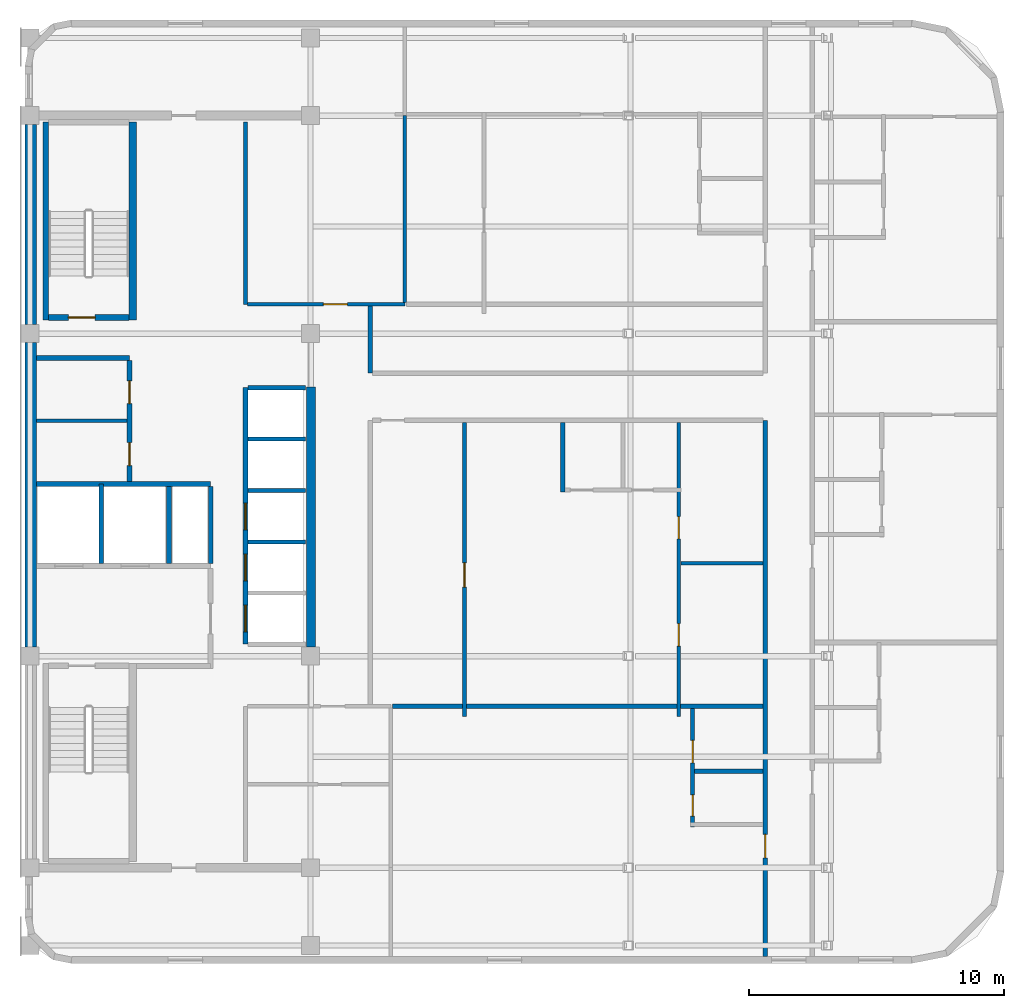
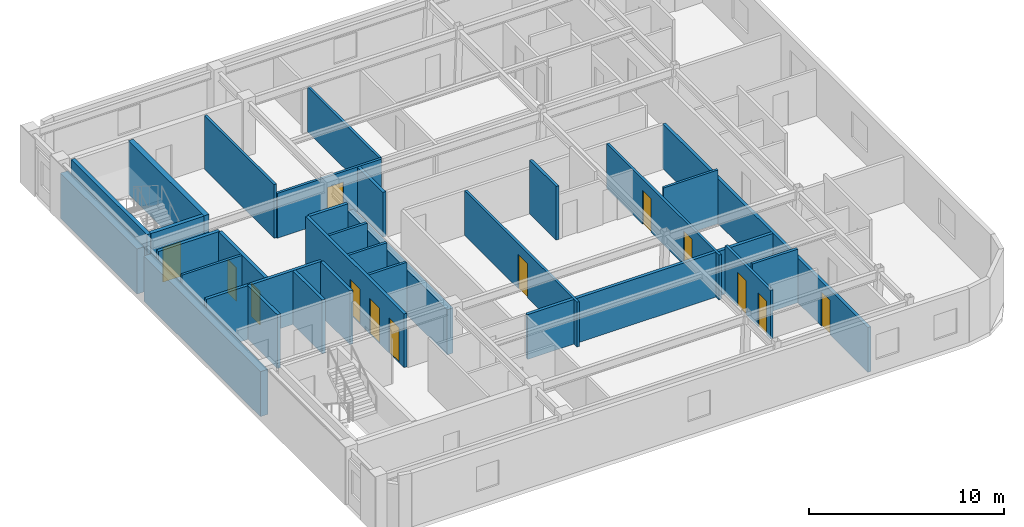
# One storey, part 3 of 6: 30 walls, 13 doors, 13 openings.
"""IFC4 building model written with IfcOpenShell, lengths in metres."""

from ifc_helpers import new_model, si_unit, direction, frame, frame_2d, origin, place, context, subcontext, project, spatial, rectangle, extrude, material, layer, layer_set, type_object, element, fill, save


model = new_model("IFC4")

# Units and contexts
model_context = context("Model", 3, precision=1e-05, world=origin(), true_north=direction((0.0, 1.0)))
body_context = subcontext(model_context, "Body", "Model", "MODEL_VIEW")
ifc_project = project(units=[si_unit("LENGTHUNIT", "METRE"), si_unit("AREAUNIT", "SQUARE_METRE"), si_unit("VOLUMEUNIT", "CUBIC_METRE"), si_unit("PLANEANGLEUNIT", "RADIAN"), si_unit("MASSUNIT", "GRAM", prefix="KILO")], contexts=[model_context])

# Site, building, storey
site_placement = place(None, origin())
site = spatial("IfcSite", under=ifc_project, at=site_placement, CompositionType="ELEMENT")
building_placement = place(site_placement, origin())
building = spatial("IfcBuilding", under=site, at=building_placement, Name="Ochreholt Gables", CompositionType="ELEMENT")
storey_placement = place(building_placement, frame((0.0, 0.0, 220.199951171875)))
storey = spatial("IfcBuildingStorey", under=building, at=storey_placement, Name="L57", CompositionType="ELEMENT", Elevation=220.199951171875)

# Walls
ifc_material_1 = material(Name="Concrete 50 MPa", Category="concrete")
ifc_layer_1 = layer(ifc_material_1, 0.35009765625, Name="Concrete 50 MPa")
ifc_layer_set_1 = layer_set([ifc_layer_1], Name="Concrete 50 MPa")
wall_type_1 = type_object("IfcWallType", Name="WALL-CSW-350", PredefinedType="SHEAR", material=ifc_layer_set_1)
wall_1_placement = place(storey_placement, frame((35.22509765625, 17.89990234375, 0.0), z_axis=(0.0, 0.0, 1.0), x_axis=(0.0, 1.0, 0.0)))
element("IfcWall", 1, at=wall_1_placement, inside=storey, type_object=wall_type_1, Name="L57 Core Central-East Shear Wall", PredefinedType="SHEAR", context=body_context, shape_type="SweptSolid", body=[
    extrude(rectangle(XDim=10.2001953125, YDim=0.35009765625, at=frame_2d((5.10009765625, 0.0))), origin(), (0.0, 0.0, 1.0), 2.821044921875),
])
ifc_layer_2 = layer(ifc_material_1, 0.449951171875, Name="Concrete 50 MPa")
ifc_layer_set_2 = layer_set([ifc_layer_2], Name="Concrete 50 MPa")
wall_type_2 = type_object("IfcWallType", Name="WALL-CSW-EXT", PredefinedType="SHEAR", material=ifc_layer_set_2)
wall_2_placement = place(storey_placement, frame((24.22509765625, 17.89990234375, 0.0), z_axis=(0.0, 0.0, 1.0), x_axis=(0.0, 1.0, 0.0)))
element("IfcWall", 2, at=wall_2_placement, inside=storey, type_object=wall_type_2, Name="L57 Core West Shear Wall WM", PredefinedType="SHEAR", context=body_context, shape_type="SweptSolid", body=[
    extrude(rectangle(XDim=11.9501953125, YDim=0.449951171875, at=frame_2d((5.97509765625, 0.0))), origin(), (0.0, 0.0, 1.0), 2.821044921875),
])
wall_3_placement = place(storey_placement, frame((24.22509765625, 30.550048828125, 0.0), z_axis=(0.0, 0.0, 1.0), x_axis=(0.0, 1.0, 0.0)))
element("IfcWall", 3, at=wall_3_placement, inside=storey, type_object=wall_type_2, Name="L57 Core West Shear Wall WN", PredefinedType="SHEAR", context=body_context, shape_type="SweptSolid", body=[
    extrude(rectangle(XDim=7.849853515625, YDim=0.449951171875, at=frame_2d((3.9248046875, 0.0))), origin(), (0.0, 0.0, 1.0), 2.821044921875),
])
ifc_material_2 = material(Name="Concrete 40 MPa", Category="concrete")
ifc_layer_3 = layer(ifc_material_2, 0.199951171875, Name="Concrete 40 MPa")
ifc_layer_set_3 = layer_set([ifc_layer_3], Name="Concrete 40 MPa")
wall_type_3 = type_object("IfcWallType", Name="WALL-INT-CF200", PredefinedType="STANDARD", material=ifc_layer_set_3)
wall_4_placement = place(storey_placement, frame((24.449951171875, 29.239990234375, 0.0), z_axis=(0.0, 0.0, 1.0), x_axis=(1.0, 0.0, 0.0)))
element("IfcWall", 4, at=wall_4_placement, inside=storey, type_object=wall_type_3, Name="L57 Interior Wall WI-SRVN-L57", PredefinedType="STANDARD", context=body_context, shape_type="SweptSolid", body=[
    extrude(rectangle(XDim=3.650146484375, YDim=0.199951171875, at=frame_2d((1.8251953125, 0.0))), origin(), (0.0, 0.0, 1.0), 3.360107421875),
])

# Wall, openings, doors
wall_5_placement = place(storey_placement, frame((28.10009765625, 24.389892578125, 0.0), z_axis=(0.0, 0.0, 1.0), x_axis=(0.0, 1.0, 0.0)))
wall_5 = element("IfcWall", 5, at=wall_5_placement, inside=storey, type_object=wall_type_3, Name="L57 Interior Wall WI-SRVE-L57", PredefinedType="STANDARD", context=body_context, shape_type="SweptSolid", body=[
    extrude(rectangle(XDim=4.75, YDim=0.199951171875, at=frame_2d((2.375, 0.0))), origin(), (0.0, 0.0, 1.0), 3.360107421875),
])
opening_1_placement = place(wall_5_placement, frame((0.6298828125, 0.0, 0.0)))
opening_1 = element("IfcOpeningElement", 6, at=opening_1_placement, cuts=wall_5, Name="Opening D-SV1", PredefinedType="OPENING", context=body_context, shape_type="SweptSolid", body=[
    extrude(rectangle(XDim=0.89990234375, YDim=2.10009765625, at=frame_2d((0.449951171875, 1.050048828125))), frame((0.0, 0.10986328125, 0.0), z_axis=(0.0, -1.0, 0.0), x_axis=(1.0, 0.0, 0.0)), (0.0, 0.0, 1.0), 0.219970703125),
])
opening_2_placement = place(wall_5_placement, frame((3.06005859375, 0.0, 0.0)))
opening_2 = element("IfcOpeningElement", 7, at=opening_2_placement, cuts=wall_5, Name="Opening D-SV1", PredefinedType="OPENING", context=body_context, shape_type="SweptSolid", body=[
    extrude(rectangle(XDim=0.89990234375, YDim=2.10009765625, at=frame_2d((0.449951171875, 1.050048828125))), frame((0.0, 0.10986328125, 0.0), z_axis=(0.0, -1.0, 0.0), x_axis=(1.0, 0.0, 0.0)), (0.0, 0.0, 1.0), 0.219970703125),
])
ifc_material_3 = material(Name="Hollow Metal Steel", Category="steel")
door_type_1 = type_object("IfcDoorType", Name="DR-INT-SRV900", OperationType="NOTDEFINED", PredefinedType="DOOR", material=ifc_material_3)
door_1_placement = place(opening_1_placement, origin())
door_1 = element("IfcDoor", 8, at=door_1_placement, inside=storey, type_object=door_type_1, Name="L57 Door D-SRV1-L57", OperationType="SINGLE_SWING_LEFT", OverallHeight=2.10009765625, OverallWidth=0.89990234375, PredefinedType="DOOR", context=body_context, shape_type="SweptSolid", body=[
    extrude(rectangle(XDim=0.89990234375, YDim=2.10009765625, at=frame_2d((0.449951171875, 1.050048828125))), frame((0.0, 0.02490234375, 0.0), z_axis=(0.0, -1.0, 0.0), x_axis=(1.0, 0.0, 0.0)), (0.0, 0.0, 1.0), 0.050048828125),
])
fill(opening_1, door_1)
door_2_placement = place(opening_2_placement, origin())
door_2 = element("IfcDoor", 9, at=door_2_placement, inside=storey, type_object=door_type_1, Name="L57 Door D-SRV2-L57", OperationType="SINGLE_SWING_RIGHT", OverallHeight=2.10009765625, OverallWidth=0.89990234375, PredefinedType="DOOR", context=body_context, shape_type="SweptSolid", body=[
    extrude(rectangle(XDim=0.89990234375, YDim=2.10009765625, at=frame_2d((0.449951171875, 1.050048828125))), frame((0.0, 0.02490234375, 0.0), z_axis=(0.0, -1.0, 0.0), x_axis=(1.0, 0.0, 0.0)), (0.0, 0.0, 1.0), 0.050048828125),
])
fill(opening_2, door_2)

# Wall
ifc_material_4 = material(Name="Fire-Rated Gypsum Acoustic Partition", Category="gypsum")
ifc_layer_4 = layer(ifc_material_4, 0.179931640625, Name="Fire-Rated Gypsum Acoustic Partition")
ifc_layer_set_4 = layer_set([ifc_layer_4], Name="Fire-Rated Gypsum Acoustic Partition")
wall_type_4 = type_object("IfcWallType", Name="WALL-INT-CR180", PredefinedType="STANDARD", material=ifc_layer_set_4)
wall_6_placement = place(storey_placement, frame((37.550048828125, 28.64990234375, 0.0), z_axis=(0.0, 0.0, 1.0), x_axis=(0.0, 1.0, 0.0)))
element("IfcWall", 10, at=wall_6_placement, inside=storey, type_object=wall_type_4, Name="L57 Interior Wall WI-C3CE2-L57", PredefinedType="STANDARD", context=body_context, shape_type="SweptSolid", body=[
    extrude(rectangle(XDim=2.627685546875, YDim=0.179931640625, at=frame_2d((1.31396484375, 0.0))), origin(), (0.0, 0.0, 1.0), 2.802978515625),
])

# Wall, opening, door
wall_7_placement = place(storey_placement, frame((53.03271484375, 5.77001953125, 0.0), z_axis=(0.0, 0.0, 1.0), x_axis=(0.0, 1.0, 0.0)))
wall_7 = element("IfcWall", 11, at=wall_7_placement, inside=storey, type_object=wall_type_4, Name="L57 Interior Wall WI-C3GW0-L57", PredefinedType="STANDARD", context=body_context, shape_type="SweptSolid", body=[
    extrude(rectangle(XDim=21.030029296875, YDim=0.179931640625, at=frame_2d((10.51513671875, 0.0))), origin(), (0.0, 0.0, 1.0), 2.802978515625),
])
opening_3_placement = place(wall_7_placement, frame((3.8701171875, 0.0, 0.0)))
opening_3 = element("IfcOpeningElement", 12, at=opening_3_placement, cuts=wall_7, Name="Opening D-UN1", PredefinedType="OPENING", context=body_context, shape_type="SweptSolid", body=[
    extrude(rectangle(XDim=0.919921875, YDim=2.14990234375, at=frame_2d((0.4599609375, 1.074951171875))), frame((0.0, 0.099853515625, 0.0), z_axis=(0.0, -1.0, 0.0), x_axis=(1.0, 0.0, 0.0)), (0.0, 0.0, 1.0), 0.199951171875),
])
ifc_material_5 = material(Name="Engineered Oak Timber", Category="wood")
door_type_2 = type_object("IfcDoorType", Name="DR-INT-UNT920", OperationType="NOTDEFINED", PredefinedType="DOOR", material=ifc_material_5)
door_3_placement = place(opening_3_placement, origin())
door_3 = element("IfcDoor", 13, at=door_3_placement, inside=storey, type_object=door_type_2, Name="L57 Door D-U-L57SM1-ENT", OperationType="SINGLE_SWING_LEFT", OverallHeight=2.14990234375, OverallWidth=0.919921875, PredefinedType="DOOR", context=body_context, shape_type="SweptSolid", body=[
    extrude(rectangle(XDim=0.919921875, YDim=2.14990234375, at=frame_2d((0.4599609375, 1.074951171875))), frame((0.0, 0.02490234375, 0.0), z_axis=(0.0, -1.0, 0.0), x_axis=(1.0, 0.0, 0.0)), (0.0, 0.0, 1.0), 0.050048828125),
])
fill(opening_3, door_3)

# Wall
ifc_material_6 = material(Name="Double-Stud Acoustic Demising Wall", Category="gypsum")
ifc_layer_5 = layer(ifc_material_6, 0.18505859375, Name="Double-Stud Acoustic Demising Wall")
ifc_layer_set_5 = layer_set([ifc_layer_5], Name="Double-Stud Acoustic Demising Wall")
wall_type_5 = type_object("IfcWallType", Name="WALL-INT-DM185", PredefinedType="PARTITIONING", material=ifc_layer_set_5)
wall_8_placement = place(storey_placement, frame((38.422607421875, 15.580078125, 0.0), z_axis=(0.0, 0.0, 1.0), x_axis=(1.0, 0.0, 0.0)))
element("IfcWall", 14, at=wall_8_placement, inside=storey, type_object=wall_type_5, Name="L57 Interior Wall WI-C3SMY-L57", PredefinedType="PARTITIONING", context=body_context, shape_type="SweptSolid", body=[
    extrude(rectangle(XDim=14.520263671875, YDim=0.18505859375, at=frame_2d((7.26025390625, 0.0))), origin(), (0.0, 0.0, 1.0), 2.802978515625),
])

# Wall, openings, doors
ifc_material_7 = material(Name="Moisture-Resistant Plumbing Chase Wall", Category="gypsum")
ifc_layer_6 = layer(ifc_material_7, 0.159912109375, Name="Moisture-Resistant Plumbing Chase Wall")
ifc_layer_set_6 = layer_set([ifc_layer_6], Name="Moisture-Resistant Plumbing Chase Wall")
wall_type_6 = type_object("IfcWallType", Name="WALL-INT-PL160", PredefinedType="PLUMBINGWALL", material=ifc_layer_set_6)
wall_9_placement = place(storey_placement, frame((50.188720703125, 10.85009765625, 0.0), z_axis=(0.0, 0.0, 1.0), x_axis=(0.0, 1.0, 0.0)))
wall_9 = element("IfcWall", 15, at=wall_9_placement, inside=storey, type_object=wall_type_6, Name="L57 Interior Wall WU-L57SM1-WX", PredefinedType="PLUMBINGWALL", context=body_context, shape_type="SweptSolid", body=[
    extrude(rectangle(XDim=4.637451171875, YDim=0.159912109375, at=frame_2d((2.31884765625, 0.0))), origin(), (0.0, 0.0, 1.0), 3.0390625),
])
opening_4_placement = place(wall_9_placement, frame((0.419921875, 0.0, 0.0)))
opening_4 = element("IfcOpeningElement", 16, at=opening_4_placement, cuts=wall_9, Name="Opening D-BT2", PredefinedType="OPENING", context=body_context, shape_type="SweptSolid", body=[
    extrude(rectangle(XDim=0.840087890625, YDim=2.1201171875, at=frame_2d((0.419921875, 1.06005859375))), frame((0.0, 0.08984375, 0.0), z_axis=(0.0, -1.0, 0.0), x_axis=(1.0, 0.0, 0.0)), (0.0, 0.0, 1.0), 0.179931640625),
])
opening_5_placement = place(wall_9_placement, frame((2.512939453125, 0.0, 0.0)))
opening_5 = element("IfcOpeningElement", 17, at=opening_5_placement, cuts=wall_9, Name="Opening D-GN2", PredefinedType="OPENING", context=body_context, shape_type="SweptSolid", body=[
    extrude(rectangle(XDim=0.8798828125, YDim=2.1201171875, at=frame_2d((0.43994140625, 1.06005859375))), frame((0.0, 0.08984375, 0.0), z_axis=(0.0, -1.0, 0.0), x_axis=(1.0, 0.0, 0.0)), (0.0, 0.0, 1.0), 0.179931640625),
])
door_type_3 = type_object("IfcDoorType", Name="DR-INT-BTH840", OperationType="NOTDEFINED", PredefinedType="DOOR", material=ifc_material_5)
door_4_placement = place(opening_4_placement, origin())
door_4 = element("IfcDoor", 18, at=door_4_placement, inside=storey, type_object=door_type_3, Name="L57 Door D-U-L57SM1-BTH", OperationType="SINGLE_SWING_RIGHT", OverallHeight=2.1201171875, OverallWidth=0.840087890625, PredefinedType="DOOR", context=body_context, shape_type="SweptSolid", body=[
    extrude(rectangle(XDim=0.840087890625, YDim=2.1201171875, at=frame_2d((0.419921875, 1.06005859375))), frame((0.0, 0.02490234375, 0.0), z_axis=(0.0, -1.0, 0.0), x_axis=(1.0, 0.0, 0.0)), (0.0, 0.0, 1.0), 0.050048828125),
])
fill(opening_4, door_4)
door_type_4 = type_object("IfcDoorType", Name="DR-INT-GEN880", OperationType="NOTDEFINED", PredefinedType="DOOR", material=ifc_material_5)
door_5_placement = place(opening_5_placement, origin())
door_5 = element("IfcDoor", 19, at=door_5_placement, inside=storey, type_object=door_type_4, Name="L57 Door D-U-L57SM1-KIT", OperationType="SINGLE_SWING_LEFT", OverallHeight=2.1201171875, OverallWidth=0.8798828125, PredefinedType="DOOR", context=body_context, shape_type="SweptSolid", body=[
    extrude(rectangle(XDim=0.8798828125, YDim=2.1201171875, at=frame_2d((0.43994140625, 1.06005859375))), frame((0.0, 0.02490234375, 0.0), z_axis=(0.0, -1.0, 0.0), x_axis=(1.0, 0.0, 0.0)), (0.0, 0.0, 1.0), 0.050048828125),
])
fill(opening_5, door_5)

# Walls
wall_10_placement = place(storey_placement, frame((50.268798828125, 13.032958984375, 0.0), z_axis=(0.0, 0.0, 1.0), x_axis=(1.0, 0.0, 0.0)))
element("IfcWall", 20, at=wall_10_placement, inside=storey, type_object=wall_type_6, Name="L57 Interior Wall WU-L57SM1-WM", PredefinedType="PLUMBINGWALL", context=body_context, shape_type="SweptSolid", body=[
    extrude(rectangle(XDim=2.674072265625, YDim=0.159912109375, at=frame_2d((1.3369140625, 0.0))), origin(), (0.0, 0.0, 1.0), 3.360107421875),
])
wall_11_placement = place(storey_placement, frame((45.0927734375, 23.989990234375, 0.0), z_axis=(0.0, 0.0, 1.0), x_axis=(0.0, 1.0, 0.0)))
element("IfcWall", 21, at=wall_11_placement, inside=storey, type_object=wall_type_6, Name="L57 Interior Wall WU-L57SM2-FY", PredefinedType="PLUMBINGWALL", context=body_context, shape_type="SweptSolid", body=[
    extrude(rectangle(XDim=2.719970703125, YDim=0.159912109375, at=frame_2d((1.35986328125, 0.0))), origin(), (0.0, 0.0, 1.0), 3.360107421875),
])
ifc_material_8 = material(Name="Lightweight Stud Partition", Category="gypsum")
ifc_layer_7 = layer(ifc_material_8, 0.14501953125, Name="Lightweight Stud Partition")
ifc_layer_set_7 = layer_set([ifc_layer_7], Name="Lightweight Stud Partition")
wall_type_7 = type_object("IfcWallType", Name="WALL-INT-PT145", PredefinedType="PARTITIONING", material=ifc_layer_set_7)
wall_12_placement = place(storey_placement, frame((24.449951171875, 26.780029296875, 0.0), z_axis=(0.0, 0.0, 1.0), x_axis=(1.0, 0.0, 0.0)))
element("IfcWall", 22, at=wall_12_placement, inside=storey, type_object=wall_type_7, Name="L57 Interior Wall WI-SRVP1-L57", PredefinedType="PARTITIONING", context=body_context, shape_type="SweptSolid", body=[
    extrude(rectangle(XDim=3.550048828125, YDim=0.14501953125, at=frame_2d((1.77490234375, 0.0))), origin(), (0.0, 0.0, 1.0), 3.360107421875),
])
wall_13_placement = place(storey_placement, frame((32.64990234375, 31.35009765625, 0.0), z_axis=(0.0, 0.0, 1.0), x_axis=(0.0, 1.0, 0.0)))
element("IfcWall", 23, at=wall_13_placement, inside=storey, type_object=wall_type_7, Name="L57 Interior Wall WI-RCM-W-L57", PredefinedType="PARTITIONING", context=body_context, shape_type="SweptSolid", body=[
    extrude(rectangle(XDim=7.14990234375, YDim=0.14501953125, at=frame_2d((3.574951171875, 0.0))), origin(), (0.0, 0.0, 1.0), 3.360107421875),
])

# Wall, opening, door
wall_14_placement = place(storey_placement, frame((32.722412109375, 31.35009765625, 0.0), z_axis=(0.0, 0.0, 1.0), x_axis=(1.0, 0.0, 0.0)))
wall_14 = element("IfcWall", 24, at=wall_14_placement, inside=storey, type_object=wall_type_7, Name="L57 Interior Wall WI-RCM-S-L57", PredefinedType="PARTITIONING", context=body_context, shape_type="SweptSolid", body=[
    extrude(rectangle(XDim=6.177490234375, YDim=0.14501953125, at=frame_2d((3.0888671875, 0.0))), origin(), (0.0, 0.0, 1.0), 2.802978515625),
])
opening_6_placement = place(wall_14_placement, frame((2.9775390625, 0.0, 0.0)))
opening_6 = element("IfcOpeningElement", 25, at=opening_6_placement, cuts=wall_14, Name="Opening D-GN1", PredefinedType="OPENING", context=body_context, shape_type="SweptSolid", body=[
    extrude(rectangle(XDim=0.949951171875, YDim=2.14990234375, at=frame_2d((0.47509765625, 1.074951171875))), frame((0.0, 0.08251953125, 0.0), z_axis=(0.0, -1.0, 0.0), x_axis=(1.0, 0.0, 0.0)), (0.0, 0.0, 1.0), 0.1650390625),
])
door_type_5 = type_object("IfcDoorType", Name="DR-INT-GEN950", OperationType="NOTDEFINED", PredefinedType="DOOR", material=ifc_material_5)
door_6_placement = place(opening_6_placement, origin())
door_6 = element("IfcDoor", 26, at=door_6_placement, inside=storey, type_object=door_type_5, Name="L57 Door D-RCM-L57", OperationType="SINGLE_SWING_RIGHT", OverallHeight=2.14990234375, OverallWidth=0.949951171875, PredefinedType="DOOR", context=body_context, shape_type="SweptSolid", body=[
    extrude(rectangle(XDim=0.949951171875, YDim=2.14990234375, at=frame_2d((0.47509765625, 1.074951171875))), frame((0.0, 0.02490234375, 0.0), z_axis=(0.0, -1.0, 0.0), x_axis=(1.0, 0.0, 0.0)), (0.0, 0.0, 1.0), 0.050048828125),
])
fill(opening_6, door_6)

# Wall
wall_15_placement = place(storey_placement, frame((38.89990234375, 31.422607421875, 0.0), z_axis=(0.0, 0.0, 1.0), x_axis=(0.0, 1.0, 0.0)))
element("IfcWall", 27, at=wall_15_placement, inside=storey, type_object=wall_type_7, Name="L57 Interior Wall WI-RCM-E-L57", PredefinedType="PARTITIONING", context=body_context, shape_type="SweptSolid", body=[
    extrude(rectangle(XDim=7.327392578125, YDim=0.14501953125, at=frame_2d((3.66357421875, 0.0))), origin(), (0.0, 0.0, 1.0), 2.802978515625),
])

# Wall, openings, doors
wall_16_placement = place(storey_placement, frame((49.642822265625, 15.18994140625, 0.0), z_axis=(0.0, 0.0, 1.0), x_axis=(0.0, 1.0, 0.0)))
wall_16 = element("IfcWall", 28, at=wall_16_placement, inside=storey, type_object=wall_type_7, Name="L57 Interior Wall WU-L57SM2-MNX", PredefinedType="PARTITIONING", context=body_context, shape_type="SweptSolid", body=[
    extrude(rectangle(XDim=11.52001953125, YDim=0.14501953125, at=frame_2d((5.760009765625, 0.0))), origin(), (0.0, 0.0, 1.0), 2.802978515625),
])
opening_7_placement = place(wall_16_placement, frame((2.7548828125, 0.0, 0.0)))
opening_7 = element("IfcOpeningElement", 29, at=opening_7_placement, cuts=wall_16, Name="Opening D-BD2", PredefinedType="OPENING", context=body_context, shape_type="SweptSolid", body=[
    extrude(rectangle(XDim=0.8798828125, YDim=2.139892578125, at=frame_2d((0.43994140625, 1.06982421875))), frame((0.0, 0.08251953125, 0.0), z_axis=(0.0, -1.0, 0.0), x_axis=(1.0, 0.0, 0.0)), (0.0, 0.0, 1.0), 0.1650390625),
])
opening_8_placement = place(wall_16_placement, frame((6.955078125, 0.0, 0.0)))
opening_8 = element("IfcOpeningElement", 30, at=opening_8_placement, cuts=wall_16, Name="Opening D-GN2", PredefinedType="OPENING", context=body_context, shape_type="SweptSolid", body=[
    extrude(rectangle(XDim=0.8798828125, YDim=2.1201171875, at=frame_2d((0.43994140625, 1.06005859375))), frame((0.0, 0.08251953125, 0.0), z_axis=(0.0, -1.0, 0.0), x_axis=(1.0, 0.0, 0.0)), (0.0, 0.0, 1.0), 0.1650390625),
])
door_type_6 = type_object("IfcDoorType", Name="DR-INT-BED880", OperationType="NOTDEFINED", PredefinedType="DOOR", material=ifc_material_5)
door_7_placement = place(opening_7_placement, origin())
door_7 = element("IfcDoor", 31, at=door_7_placement, inside=storey, type_object=door_type_6, Name="L57 Door D-U-L57SM2-BD1", OperationType="SINGLE_SWING_LEFT", OverallHeight=2.139892578125, OverallWidth=0.8798828125, PredefinedType="DOOR", context=body_context, shape_type="SweptSolid", body=[
    extrude(rectangle(XDim=0.8798828125, YDim=2.139892578125, at=frame_2d((0.43994140625, 1.06982421875))), frame((0.0, 0.02490234375, 0.0), z_axis=(0.0, -1.0, 0.0), x_axis=(1.0, 0.0, 0.0)), (0.0, 0.0, 1.0), 0.050048828125),
])
fill(opening_7, door_7)
door_8_placement = place(opening_8_placement, origin())
door_8 = element("IfcDoor", 32, at=door_8_placement, inside=storey, type_object=door_type_4, Name="L57 Door D-U-L57SM2-BD2", OperationType="SINGLE_SWING_RIGHT", OverallHeight=2.1201171875, OverallWidth=0.8798828125, PredefinedType="DOOR", context=body_context, shape_type="SweptSolid", body=[
    extrude(rectangle(XDim=0.8798828125, YDim=2.1201171875, at=frame_2d((0.43994140625, 1.06005859375))), frame((0.0, 0.02490234375, 0.0), z_axis=(0.0, -1.0, 0.0), x_axis=(1.0, 0.0, 0.0)), (0.0, 0.0, 1.0), 0.050048828125),
])
fill(opening_8, door_8)

# Wall, opening, door
wall_17_placement = place(storey_placement, frame((41.239990234375, 15.18994140625, 0.0), z_axis=(0.0, 0.0, 1.0), x_axis=(0.0, 1.0, 0.0)))
wall_17 = element("IfcWall", 33, at=wall_17_placement, inside=storey, type_object=wall_type_7, Name="L57 Interior Wall WU-L57SM2-DNX", PredefinedType="PARTITIONING", context=body_context, shape_type="SweptSolid", body=[
    extrude(rectangle(XDim=11.52001953125, YDim=0.14501953125, at=frame_2d((5.760009765625, 0.0))), origin(), (0.0, 0.0, 1.0), 2.802978515625),
])
opening_9_placement = place(wall_17_placement, frame((5.070068359375, 0.0, 0.0)))
opening_9 = element("IfcOpeningElement", 34, at=opening_9_placement, cuts=wall_17, Name="Opening D-GN1", PredefinedType="OPENING", context=body_context, shape_type="SweptSolid", body=[
    extrude(rectangle(XDim=0.949951171875, YDim=2.14990234375, at=frame_2d((0.47509765625, 1.074951171875))), frame((0.0, 0.08251953125, 0.0), z_axis=(0.0, -1.0, 0.0), x_axis=(1.0, 0.0, 0.0)), (0.0, 0.0, 1.0), 0.1650390625),
])
door_9_placement = place(opening_9_placement, origin())
door_9 = element("IfcDoor", 35, at=door_9_placement, inside=storey, type_object=door_type_5, Name="L57 Door D-U-L57SM2-DIN", OperationType="SINGLE_SWING_RIGHT", OverallHeight=2.14990234375, OverallWidth=0.949951171875, PredefinedType="DOOR", context=body_context, shape_type="SweptSolid", body=[
    extrude(rectangle(XDim=0.949951171875, YDim=2.14990234375, at=frame_2d((0.47509765625, 1.074951171875))), frame((0.0, 0.02490234375, 0.0), z_axis=(0.0, -1.0, 0.0), x_axis=(1.0, 0.0, 0.0)), (0.0, 0.0, 1.0), 0.050048828125),
])
fill(opening_9, door_9)

# Walls
wall_18_placement = place(storey_placement, frame((49.722900390625, 21.18994140625, 0.0), z_axis=(0.0, 0.0, 1.0), x_axis=(1.0, 0.0, 0.0)))
element("IfcWall", 36, at=wall_18_placement, inside=storey, type_object=wall_type_7, Name="L57 Interior Wall WU-L57SM2-RDV", PredefinedType="PARTITIONING", context=body_context, shape_type="SweptSolid", body=[
    extrude(rectangle(XDim=3.219970703125, YDim=0.14501953125, at=frame_2d((1.60986328125, 0.0))), origin(), (0.0, 0.0, 1.0), 3.360107421875),
])
ifc_material_9 = material(Name="Gypsum Shaftliner and Steel Stud", Category="steel")
ifc_layer_8 = layer(ifc_material_9, 0.14990234375, Name="Gypsum Shaftliner and Steel Stud")
ifc_layer_set_8 = layer_set([ifc_layer_8], Name="Gypsum Shaftliner and Steel Stud")
wall_type_8 = type_object("IfcWallType", Name="WALL-INT-SH150", PredefinedType="STANDARD", material=ifc_layer_set_8)
for number, where, z_axis, x_axis, name in (
    (37, (32.739990234375, 22.02001953125, 0.0), (0.0, 0.0, 1.0), (1.0, 0.0, 0.0), "L57 Interior Wall WI-LFHE-DH2-L57"),
    (38, (32.739990234375, 24.050048828125, 0.0), (0.0, 0.0, 1.0), (1.0, 0.0, 0.0), "L57 Interior Wall WI-LFHE-DHE-L57"),
    (39, (32.739990234375, 26.070068359375, 0.0), (0.0, 0.0, 1.0), (1.0, 0.0, 0.0), "L57 Interior Wall WI-LFHE-DEX1-L57"),
):
    element("IfcWall", number, at=place(storey_placement, frame(where, z_axis=z_axis, x_axis=x_axis)), inside=storey, type_object=wall_type_8, Name=name, PredefinedType="STANDARD", context=body_context, shape_type="SweptSolid", body=[
        extrude(rectangle(XDim=2.260009765625, YDim=0.14990234375, at=frame_2d((1.1298828125, 0.0))), origin(), (0.0, 0.0, 1.0), 3.360107421875),
    ])
ifc_layer_9 = layer(ifc_material_9, 0.179931640625, Name="Gypsum Shaftliner and Steel Stud")
ifc_layer_set_9 = layer_set([ifc_layer_9], Name="Gypsum Shaftliner and Steel Stud")
wall_type_9 = type_object("IfcWallType", Name="WALL-INT-SH180", PredefinedType="STANDARD", material=ifc_layer_set_9)
wall_19_placement = place(storey_placement, frame((27.0, 21.18994140625, 0.0), z_axis=(0.0, 0.0, 1.0), x_axis=(0.0, 1.0, 0.0)))
element("IfcWall", 40, at=wall_19_placement, inside=storey, type_object=wall_type_9, Name="L57 Interior Wall WI-FFDIV-L57", PredefinedType="STANDARD", context=body_context, shape_type="SweptSolid", body=[
    extrude(rectangle(XDim=3.110107421875, YDim=0.179931640625, at=frame_2d((1.55517578125, 0.0))), origin(), (0.0, 0.0, 1.0), 3.360107421875),
])
wall_20_placement = place(storey_placement, frame((24.449951171875, 24.300048828125, 0.0), z_axis=(0.0, 0.0, 1.0), x_axis=(1.0, 0.0, 0.0)))
element("IfcWall", 41, at=wall_20_placement, inside=storey, type_object=wall_type_9, Name="L57 Interior Wall WI-FFBK-L57", PredefinedType="STANDARD", context=body_context, shape_type="SweptSolid", body=[
    extrude(rectangle(XDim=6.830078125, YDim=0.179931640625, at=frame_2d((3.4150390625, 0.0))), origin(), (0.0, 0.0, 1.0), 3.360107421875),
])
for number, where, z_axis, x_axis, name in (
    (42, (29.64990234375, 21.18994140625, 0.0), (0.0, 0.0, 1.0), (0.0, 1.0, 0.0), "L57 Interior Wall WI-FFSH-L57"),
    (43, (31.280029296875, 21.18994140625, 0.0), (0.0, 0.0, 1.0), (0.0, 1.0, 0.0), "L57 Interior Wall WI-RSE-L57"),
):
    element("IfcWall", number, at=place(storey_placement, frame(where, z_axis=z_axis, x_axis=x_axis)), inside=storey, type_object=wall_type_9, Name=name, PredefinedType="STANDARD", context=body_context, shape_type="SweptSolid", body=[
        extrude(rectangle(XDim=3.02001953125, YDim=0.179931640625, at=frame_2d((1.510009765625, 0.0))), origin(), (0.0, 0.0, 1.0), 3.360107421875),
    ])

# Wall, openings, doors
wall_21_placement = place(storey_placement, frame((32.64990234375, 18.02001953125, 0.0), z_axis=(0.0, 0.0, 1.0), x_axis=(0.0, 1.0, 0.0)))
wall_21 = element("IfcWall", 44, at=wall_21_placement, inside=storey, type_object=wall_type_9, Name="L57 Interior Wall WI-LFHE-FR-L57", PredefinedType="STANDARD", context=body_context, shape_type="SweptSolid", body=[
    extrude(rectangle(XDim=10.06005859375, YDim=0.179931640625, at=frame_2d((5.030029296875, 0.0))), origin(), (0.0, 0.0, 1.0), 3.360107421875),
])
opening_10_placement = place(wall_21_placement, frame((0.47998046875, 0.0, 0.0)))
opening_10 = element("IfcOpeningElement", 45, at=opening_10_placement, cuts=wall_21, Name="Opening LD-PX", PredefinedType="OPENING", context=body_context, shape_type="SweptSolid", body=[
    extrude(rectangle(XDim=1.050048828125, YDim=2.199951171875, at=frame_2d((0.52490234375, 1.10009765625))), frame((0.0, 0.099853515625, 0.0), z_axis=(0.0, -1.0, 0.0), x_axis=(1.0, 0.0, 0.0)), (0.0, 0.0, 1.0), 0.199951171875),
])
opening_11_placement = place(wall_21_placement, frame((2.47998046875, 0.0, 0.0)))
opening_11 = element("IfcOpeningElement", 46, at=opening_11_placement, cuts=wall_21, Name="Opening LD-PX", PredefinedType="OPENING", context=body_context, shape_type="SweptSolid", body=[
    extrude(rectangle(XDim=1.050048828125, YDim=2.199951171875, at=frame_2d((0.52490234375, 1.10009765625))), frame((0.0, 0.099853515625, 0.0), z_axis=(0.0, -1.0, 0.0), x_axis=(1.0, 0.0, 0.0)), (0.0, 0.0, 1.0), 0.199951171875),
])
opening_12_placement = place(wall_21_placement, frame((4.47998046875, 0.0, 0.0)))
opening_12 = element("IfcOpeningElement", 47, at=opening_12_placement, cuts=wall_21, Name="Opening LD-PX", PredefinedType="OPENING", context=body_context, shape_type="SweptSolid", body=[
    extrude(rectangle(XDim=1.050048828125, YDim=2.199951171875, at=frame_2d((0.52490234375, 1.10009765625))), frame((0.0, 0.099853515625, 0.0), z_axis=(0.0, -1.0, 0.0), x_axis=(1.0, 0.0, 0.0)), (0.0, 0.0, 1.0), 0.199951171875),
])
ifc_material_10 = material(Name="Stainless Steel", Category="steel")
door_type_7 = type_object("IfcDoorType", Name="DR-LFT-PX1050", OperationType="NOTDEFINED", PredefinedType="DOOR", material=ifc_material_10)
door_10_placement = place(opening_10_placement, origin())
door_10 = element("IfcDoor", 48, at=door_10_placement, inside=storey, type_object=door_type_7, Name="L57 Door LD-LF-H1-L57", OperationType="SLIDING_TO_LEFT", OverallHeight=2.199951171875, OverallWidth=1.050048828125, PredefinedType="DOOR", context=body_context, shape_type="SweptSolid", body=[
    extrude(rectangle(XDim=1.050048828125, YDim=2.199951171875, at=frame_2d((0.52490234375, 1.10009765625))), frame((0.0, 0.02490234375, 0.0), z_axis=(0.0, -1.0, 0.0), x_axis=(1.0, 0.0, 0.0)), (0.0, 0.0, 1.0), 0.050048828125),
])
fill(opening_10, door_10)
door_11_placement = place(opening_11_placement, origin())
door_11 = element("IfcDoor", 49, at=door_11_placement, inside=storey, type_object=door_type_7, Name="L57 Door LD-LF-H2-L57", OperationType="SLIDING_TO_LEFT", OverallHeight=2.199951171875, OverallWidth=1.050048828125, PredefinedType="DOOR", context=body_context, shape_type="SweptSolid", body=[
    extrude(rectangle(XDim=1.050048828125, YDim=2.199951171875, at=frame_2d((0.52490234375, 1.10009765625))), frame((0.0, 0.02490234375, 0.0), z_axis=(0.0, -1.0, 0.0), x_axis=(1.0, 0.0, 0.0)), (0.0, 0.0, 1.0), 0.050048828125),
])
fill(opening_11, door_11)
door_12_placement = place(opening_12_placement, origin())
door_12 = element("IfcDoor", 50, at=door_12_placement, inside=storey, type_object=door_type_7, Name="L57 Door LD-LF-H3-L57", OperationType="SLIDING_TO_LEFT", OverallHeight=2.199951171875, OverallWidth=1.050048828125, PredefinedType="DOOR", context=body_context, shape_type="SweptSolid", body=[
    extrude(rectangle(XDim=1.050048828125, YDim=2.199951171875, at=frame_2d((0.52490234375, 1.10009765625))), frame((0.0, 0.02490234375, 0.0), z_axis=(0.0, -1.0, 0.0), x_axis=(1.0, 0.0, 0.0)), (0.0, 0.0, 1.0), 0.050048828125),
])
fill(opening_12, door_12)

# Walls
wall_22_placement = place(storey_placement, frame((32.739990234375, 28.080078125, 0.0), z_axis=(0.0, 0.0, 1.0), x_axis=(1.0, 0.0, 0.0)))
element("IfcWall", 51, at=wall_22_placement, inside=storey, type_object=wall_type_9, Name="L57 Interior Wall WI-LFHE-N-L57", PredefinedType="STANDARD", context=body_context, shape_type="SweptSolid", body=[
    extrude(rectangle(XDim=2.260009765625, YDim=0.179931640625, at=frame_2d((1.1298828125, 0.0))), origin(), (0.0, 0.0, 1.0), 3.360107421875),
])
ifc_material_11 = material(Name="Concrete 60 MPa", Category="concrete")
ifc_layer_10 = layer(ifc_material_11, 0.300048828125, Name="Concrete 60 MPa")
ifc_layer_set_10 = layer_set([ifc_layer_10], Name="Concrete 60 MPa")
wall_type_10 = type_object("IfcWallType", Name="WALL-SPN-300", PredefinedType="SHEAR", material=ifc_layer_set_10)
wall_23_placement = place(storey_placement, frame((28.22998046875, 30.739990234375, 0.0), z_axis=(0.0, 0.0, 1.0), x_axis=(0.0, 1.0, 0.0)))
element("IfcWall", 52, at=wall_23_placement, inside=storey, type_object=wall_type_10, Name="L57 Core North Spine Shear Wall", PredefinedType="SHEAR", context=body_context, shape_type="SweptSolid", body=[
    extrude(rectangle(XDim=7.760009765625, YDim=0.300048828125, at=frame_2d((3.8798828125, 0.0))), origin(), (0.0, 0.0, 1.0), 3.360107421875),
])
ifc_layer_11 = layer(ifc_material_1, 0.219970703125, Name="Concrete 50 MPa")
ifc_layer_set_11 = layer_set([ifc_layer_11], Name="Concrete 50 MPa")
wall_type_11 = type_object("IfcWallType", Name="WALL-STW-220", PredefinedType="SHEAR", material=ifc_layer_set_11)
wall_24_placement = place(storey_placement, frame((24.81005859375, 30.739990234375, 0.0), z_axis=(0.0, 0.0, 1.0), x_axis=(0.0, 1.0, 0.0)))
element("IfcWall", 53, at=wall_24_placement, inside=storey, type_object=wall_type_11, Name="L57 Exit Stair 2 West Wall", PredefinedType="SHEAR", context=body_context, shape_type="SweptSolid", body=[
    extrude(rectangle(XDim=7.760009765625, YDim=0.219970703125, at=frame_2d((3.8798828125, 0.0))), origin(), (0.0, 0.0, 1.0), 3.360107421875),
])

# Wall, opening, door
wall_25_placement = place(storey_placement, frame((24.919921875, 30.830078125, 0.0), z_axis=(0.0, 0.0, 1.0), x_axis=(1.0, 0.0, 0.0)))
wall_25 = element("IfcWall", 54, at=wall_25_placement, inside=storey, type_object=wall_type_11, Name="L57 Exit Stair 2 South Wall", PredefinedType="SHEAR", context=body_context, shape_type="SweptSolid", body=[
    extrude(rectangle(XDim=3.16015625, YDim=0.219970703125, at=frame_2d((1.580078125, 0.0))), origin(), (0.0, 0.0, 1.0), 3.360107421875),
])
opening_13_placement = place(wall_25_placement, frame((0.780029296875, 0.0, 0.0)))
opening_13 = element("IfcOpeningElement", 55, at=opening_13_placement, cuts=wall_25, Name="Opening D-STC", PredefinedType="OPENING", context=body_context, shape_type="SweptSolid", body=[
    extrude(rectangle(XDim=1.050048828125, YDim=2.14990234375, at=frame_2d((0.52490234375, 1.074951171875))), frame((0.0, 0.119873046875, 0.0), z_axis=(0.0, -1.0, 0.0), x_axis=(1.0, 0.0, 0.0)), (0.0, 0.0, 1.0), 0.239990234375),
])
door_type_8 = type_object("IfcDoorType", Name="DR-INT-ST1050", OperationType="NOTDEFINED", PredefinedType="DOOR", material=ifc_material_3)
door_13_placement = place(opening_13_placement, origin())
door_13 = element("IfcDoor", 56, at=door_13_placement, inside=storey, type_object=door_type_8, Name="L57 Door D-ST2-L57", OperationType="SINGLE_SWING_RIGHT", OverallHeight=2.14990234375, OverallWidth=1.050048828125, PredefinedType="DOOR", context=body_context, shape_type="SweptSolid", body=[
    extrude(rectangle(XDim=1.050048828125, YDim=2.14990234375, at=frame_2d((0.52490234375, 1.074951171875))), frame((0.0, 0.02490234375, 0.0), z_axis=(0.0, -1.0, 0.0), x_axis=(1.0, 0.0, 0.0)), (0.0, 0.0, 1.0), 0.050048828125),
])
fill(opening_13, door_13)

save(model, "model.ifc")
